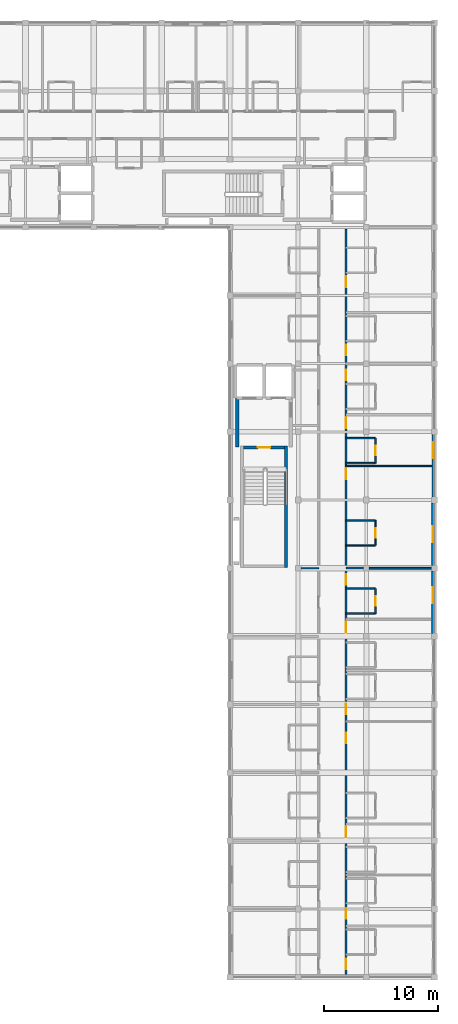
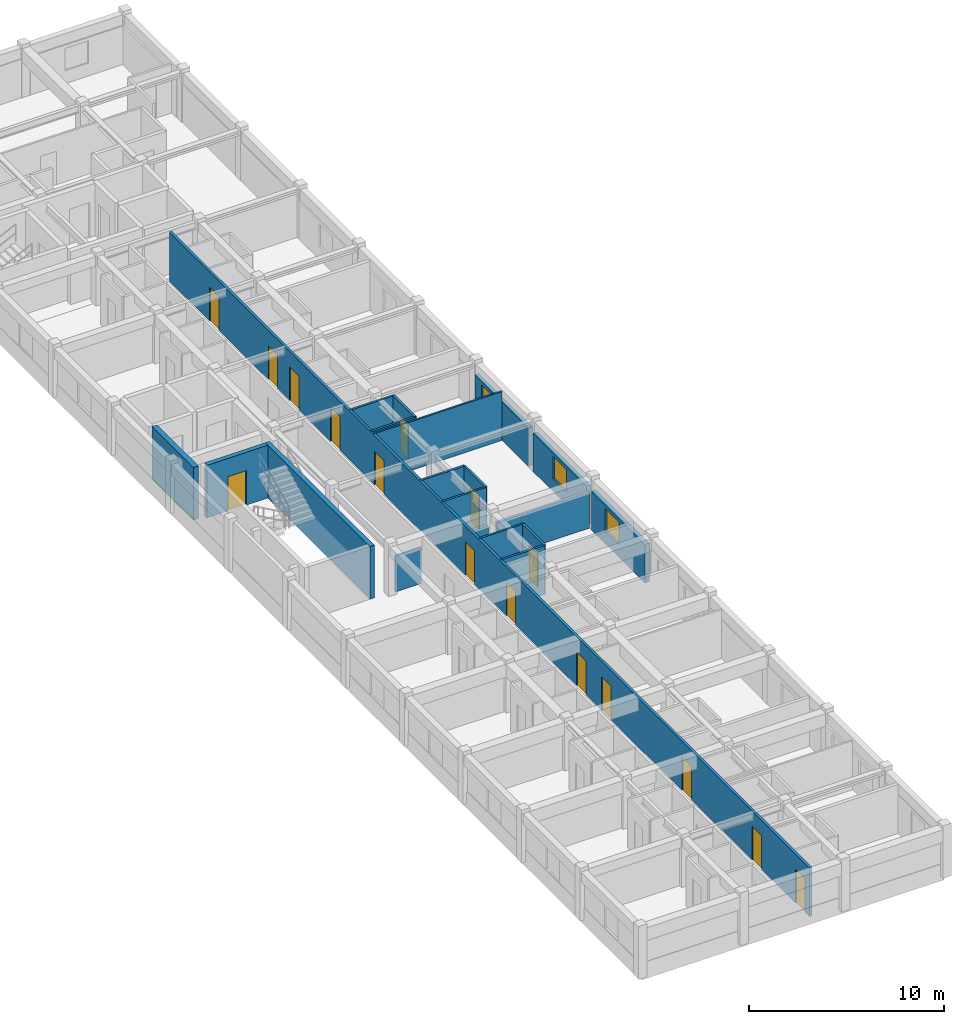
# One storey, part 5 of 15: 20 walls, 16 doors, 3 windows, 19 openings.
"""IFC4 building model written with IfcOpenShell, lengths in metres."""

from ifc_helpers import new_model, si_unit, direction, frame, frame_2d, origin, place, context, subcontext, project, spatial, rectangle, extrude, material, layer, layer_set, type_object, element, fill, save


model = new_model("IFC4")

# Units and contexts
model_context = context("Model", 3, precision=1e-05, world=origin(), true_north=direction((0.0, 1.0)))
body_context = subcontext(model_context, "Body", "Model", "MODEL_VIEW")
ifc_project = project(units=[si_unit("LENGTHUNIT", "METRE"), si_unit("AREAUNIT", "SQUARE_METRE"), si_unit("VOLUMEUNIT", "CUBIC_METRE"), si_unit("PLANEANGLEUNIT", "RADIAN"), si_unit("MASSUNIT", "GRAM", prefix="KILO"), si_unit("THERMODYNAMICTEMPERATUREUNIT", "KELVIN"), si_unit("POWERUNIT", "WATT")], contexts=[model_context])

# Site, building, storey
site_placement = place(None, origin())
site = spatial("IfcSite", under=ifc_project, at=site_placement, CompositionType="ELEMENT")
building_placement = place(site_placement, origin())
building = spatial("IfcBuilding", under=site, at=building_placement, Name="Phaisarnlok Congress Hotel", CompositionType="ELEMENT")
storey_placement = place(building_placement, frame((0.0, 0.0, 38.10009765625)))
storey = spatial("IfcBuildingStorey", under=building, at=storey_placement, Name="L09", CompositionType="ELEMENT", Elevation=38.10009765625)

# Wall, opening, window
ifc_material_1 = material(Name="Concrete C40/50", Category="concrete")
ifc_layer_1 = layer(ifc_material_1, 0.22998046875, Name="Concrete C40/50")
ifc_layer_set_1 = layer_set([ifc_layer_1], Name="Concrete C40/50")
wall_type_1 = type_object("IfcWallType", Name="WL-EXT-230", PredefinedType="SOLIDWALL", material=ifc_layer_set_1)
wall_1_placement = place(storey_placement, frame((179.885009765625, 84.2548828125, 0.0), z_axis=(0.0, 0.0, 1.0), x_axis=(0.0, 1.0, 0.0)))
wall_1 = element("IfcWall", 1, at=wall_1_placement, inside=storey, type_object=wall_type_1, Name="Exterior wall EW-06 (L09)", PredefinedType="SOLIDWALL", context=body_context, shape_type="SweptSolid", body=[
    extrude(rectangle(XDim=5.490234375, YDim=0.22998046875, at=frame_2d((2.7451171875, 0.0))), origin(), (0.0, 0.0, 1.0), 2.409912109375),
])
opening_1_placement = place(wall_1_placement, frame((3.407958984375, 0.0, 0.800048828125)))
opening_1 = element("IfcOpeningElement", 2, at=opening_1_placement, cuts=wall_1, Name="Opening W-13", PredefinedType="OPENING", context=body_context, shape_type="SweptSolid", body=[
    extrude(rectangle(XDim=1.39990234375, YDim=1.39990234375, at=frame_2d((0.699951171875, 0.699951171875))), frame((0.0, 0.125, 0.0), z_axis=(0.0, -1.0, 0.0), x_axis=(1.0, 0.0, 0.0)), (0.0, 0.0, 1.0), 0.25),
])
ifc_material_2 = material(Name="Thermally Broken Aluminium & Low-E Double Glazing", Category="aluminium")
window_type = type_object("IfcWindowType", Name="WIN-POD-1400", PartitioningType="SINGLE_PANEL", PredefinedType="WINDOW", material=ifc_material_2)
window_1_placement = place(opening_1_placement, origin())
window_1 = element("IfcWindow", 3, at=window_1_placement, inside=storey, type_object=window_type, Name="Guestroom window W-13 (L09)", OverallHeight=1.39990234375, OverallWidth=1.39990234375, PartitioningType="SINGLE_PANEL", PredefinedType="WINDOW", context=body_context, shape_type="SweptSolid", body=[
    extrude(rectangle(XDim=1.39990234375, YDim=1.39990234375, at=frame_2d((0.699951171875, 0.699951171875))), frame((0.0, 0.030029296875, 0.0), z_axis=(0.0, -1.0, 0.0), x_axis=(1.0, 0.0, 0.0)), (0.0, 0.0, 1.0), 0.06005859375),
])
fill(opening_1, window_1)

ifc_layer_2 = layer(ifc_material_1, 0.25, Name="Concrete C40/50")
ifc_layer_set_2 = layer_set([ifc_layer_2], Name="Concrete C40/50")
wall_type_2 = type_object("IfcWallType", Name="WL-EXT-250", PredefinedType="SOLIDWALL", material=ifc_layer_set_2)
wall_2_placement = place(storey_placement, frame((179.875, 78.2548828125, 0.0), z_axis=(0.0, 0.0, 1.0), x_axis=(0.0, 1.0, 0.0)))
wall_2 = element("IfcWall", 4, at=wall_2_placement, inside=storey, type_object=wall_type_2, Name="Exterior wall EW-05 (L09)", PredefinedType="SOLIDWALL", context=body_context, shape_type="SweptSolid", body=[
    extrude(rectangle(XDim=5.490234375, YDim=0.25, at=frame_2d((2.7451171875, 0.0))), origin(), (0.0, 0.0, 1.0), 2.409912109375),
])
opening_2_placement = place(wall_2_placement, frame((2.044921875, 0.0, 0.800048828125)))
opening_2 = element("IfcOpeningElement", 5, at=opening_2_placement, cuts=wall_2, Name="Opening W-13", PredefinedType="OPENING", context=body_context, shape_type="SweptSolid", body=[
    extrude(rectangle(XDim=1.39990234375, YDim=1.39990234375, at=frame_2d((0.699951171875, 0.699951171875))), frame((0.0, 0.135009765625, 0.0), z_axis=(0.0, -1.0, 0.0), x_axis=(1.0, 0.0, 0.0)), (0.0, 0.0, 1.0), 0.27001953125),
])
window_2_placement = place(opening_2_placement, origin())
window_2 = element("IfcWindow", 6, at=window_2_placement, inside=storey, type_object=window_type, Name="Guestroom window W-13 (L09)", OverallHeight=1.39990234375, OverallWidth=1.39990234375, PartitioningType="SINGLE_PANEL", PredefinedType="WINDOW", context=body_context, shape_type="SweptSolid", body=[
    extrude(rectangle(XDim=1.39990234375, YDim=1.39990234375, at=frame_2d((0.699951171875, 0.699951171875))), frame((0.0, 0.030029296875, 0.0), z_axis=(0.0, -1.0, 0.0), x_axis=(1.0, 0.0, 0.0)), (0.0, 0.0, 1.0), 0.06005859375),
])
fill(opening_2, window_2)

ifc_layer_3 = layer(ifc_material_1, 0.27001953125, Name="Concrete C40/50")
ifc_layer_set_3 = layer_set([ifc_layer_3], Name="Concrete C40/50")
wall_type_3 = type_object("IfcWallType", Name="WL-EXT-270", PredefinedType="SOLIDWALL", material=ifc_layer_set_3)
wall_3_placement = place(storey_placement, frame((179.864990234375, 72.2548828125, 0.0), z_axis=(0.0, 0.0, 1.0), x_axis=(0.0, 1.0, 0.0)))
wall_3 = element("IfcWall", 7, at=wall_3_placement, inside=storey, type_object=wall_type_3, Name="Exterior wall EW-04 (L09)", PredefinedType="SOLIDWALL", context=body_context, shape_type="SweptSolid", body=[
    extrude(rectangle(XDim=5.490234375, YDim=0.27001953125, at=frame_2d((2.7451171875, 0.0))), origin(), (0.0, 0.0, 1.0), 2.409912109375),
])
opening_3_placement = place(wall_3_placement, frame((2.657958984375, 0.0, 0.800048828125)))
opening_3 = element("IfcOpeningElement", 8, at=opening_3_placement, cuts=wall_3, Name="Opening W-13", PredefinedType="OPENING", context=body_context, shape_type="SweptSolid", body=[
    extrude(rectangle(XDim=1.39990234375, YDim=1.39990234375, at=frame_2d((0.699951171875, 0.699951171875))), frame((0.0, 0.14501953125, 0.0), z_axis=(0.0, -1.0, 0.0), x_axis=(1.0, 0.0, 0.0)), (0.0, 0.0, 1.0), 0.2900390625),
])
window_3_placement = place(opening_3_placement, origin())
window_3 = element("IfcWindow", 9, at=window_3_placement, inside=storey, type_object=window_type, Name="Guestroom window W-13 (L09)", OverallHeight=1.39990234375, OverallWidth=1.39990234375, PartitioningType="SINGLE_PANEL", PredefinedType="WINDOW", context=body_context, shape_type="SweptSolid", body=[
    extrude(rectangle(XDim=1.39990234375, YDim=1.39990234375, at=frame_2d((0.699951171875, 0.699951171875))), frame((0.0, 0.030029296875, 0.0), z_axis=(0.0, -1.0, 0.0), x_axis=(1.0, 0.0, 0.0)), (0.0, 0.0, 1.0), 0.06005859375),
])
fill(opening_3, window_3)

# Walls
ifc_material_3 = material(Name="Service Riser Shaftwall Partition", Category="gypsum")
ifc_layer_4 = layer(ifc_material_3, 0.10498046875, Name="Service Riser Shaftwall Partition")
ifc_layer_set_4 = layer_set([ifc_layer_4], Name="Service Riser Shaftwall Partition")
wall_type_4 = type_object("IfcWallType", Name="WL-INT-105", PredefinedType="PARTITIONING", material=ifc_layer_set_4)
wall_4_placement = place(storey_placement, frame((168.2548828125, 78.0, 0.0), z_axis=(0.0, 0.0, 1.0), x_axis=(1.0, 0.0, 0.0)))
element("IfcWall", 10, at=wall_4_placement, inside=storey, type_object=wall_type_4, Name="Interior partition wall IW-08 (L09)", PredefinedType="PARTITIONING", context=body_context, shape_type="SweptSolid", body=[
    extrude(rectangle(XDim=1.545166015625, YDim=0.10498046875, at=frame_2d((0.7724609375, 0.0))), origin(), (0.0, 0.0, 1.0), 2.260009765625),
])
wall_5_placement = place(storey_placement, frame((172.199951171875, 87.0, 0.0), z_axis=(0.0, 0.0, 1.0), x_axis=(1.0, 0.0, 0.0)))
element("IfcWall", 11, at=wall_5_placement, inside=storey, type_object=wall_type_4, Name="Interior partition wall IW-08 (L09)", PredefinedType="PARTITIONING", context=body_context, shape_type="SweptSolid", body=[
    extrude(rectangle(XDim=7.56494140625, YDim=0.10498046875, at=frame_2d((3.782470703125, 0.0))), origin(), (0.0, 0.0, 1.0), 3.059814453125),
])

# Wall, opening, door
ifc_material_4 = material(Name="Lightweight Metal-Stud Gypsum Partition", Category="gypsum")
ifc_layer_5 = layer(ifc_material_4, 0.1201171875, Name="Lightweight Metal-Stud Gypsum Partition")
ifc_layer_set_5 = layer_set([ifc_layer_5], Name="Lightweight Metal-Stud Gypsum Partition")
wall_type_5 = type_object("IfcWallType", Name="WL-INT-120", PredefinedType="PARTITIONING", material=ifc_layer_set_5)
wall_6_placement = place(storey_placement, frame((174.800048828125, 80.0, 0.0), z_axis=(0.0, 0.0, 1.0), x_axis=(0.0, 1.0, 0.0)))
wall_6 = element("IfcWall", 12, at=wall_6_placement, inside=storey, type_object=wall_type_5, Name="Interior partition wall IW-07 (L09)", PredefinedType="PARTITIONING", context=body_context, shape_type="SweptSolid", body=[
    extrude(rectangle(XDim=2.199951171875, YDim=0.1201171875, at=frame_2d((1.10009765625, 0.0))), origin(), (0.0, 0.0, 1.0), 3.059814453125),
])
opening_4_placement = place(wall_6_placement, frame((0.675048828125, 0.0, 0.0)))
opening_4 = element("IfcOpeningElement", 13, at=opening_4_placement, cuts=wall_6, Name="Opening D-0530", PredefinedType="OPENING", context=body_context, shape_type="SweptSolid", body=[
    extrude(rectangle(XDim=0.85009765625, YDim=2.10009765625, at=frame_2d((0.425048828125, 1.050048828125))), frame((0.0, 0.070068359375, 0.0), z_axis=(0.0, -1.0, 0.0), x_axis=(1.0, 0.0, 0.0)), (0.0, 0.0, 1.0), 0.14013671875),
])
ifc_material_5 = material(Name="Moisture-Resistant Lacquered Timber", Category="wood")
door_type_1 = type_object("IfcDoorType", Name="DR-BATH-850", OperationType="NOTDEFINED", PredefinedType="DOOR", material=ifc_material_5)
door_1_placement = place(opening_4_placement, origin())
door_1 = element("IfcDoor", 14, at=door_1_placement, inside=storey, type_object=door_type_1, Name="Interior door D-0530 (L09)", OperationType="SINGLE_SWING_LEFT", OverallHeight=2.10009765625, OverallWidth=0.85009765625, PredefinedType="DOOR", context=body_context, shape_type="SweptSolid", body=[
    extrude(rectangle(XDim=0.85009765625, YDim=2.10009765625, at=frame_2d((0.425048828125, 1.050048828125))), frame((0.0, 0.02490234375, 0.0), z_axis=(0.0, -1.0, 0.0), x_axis=(1.0, 0.0, 0.0)), (0.0, 0.0, 1.0), 0.050048828125),
])
fill(opening_4, door_1)

# Walls
for number, where, z_axis, x_axis, name in (
    (15, (172.199951171875, 76.199951171875, 0.0), (0.0, 0.0, 1.0), (1.0, 0.0, 0.0), "Interior partition wall IW-07 (L09)"),
    (16, (172.199951171875, 80.0, 0.0), (0.0, 0.0, 1.0), (1.0, 0.0, 0.0), "Interior partition wall IW-07 (L09)"),
    (17, (172.199951171875, 89.449951171875, 0.0), (0.0, 0.0, 1.0), (1.0, 0.0, 0.0), "Interior partition wall IW-07 (L09)"),
):
    element("IfcWall", number, at=place(storey_placement, frame(where, z_axis=z_axis, x_axis=x_axis)), inside=storey, type_object=wall_type_5, Name=name, PredefinedType="PARTITIONING", context=body_context, shape_type="SweptSolid", body=[
        extrude(rectangle(XDim=2.60009765625, YDim=0.1201171875, at=frame_2d((1.300048828125, 0.0))), origin(), (0.0, 0.0, 1.0), 3.059814453125),
    ])

# Wall, opening, door
ifc_material_6 = material(Name="Moisture-Resistant Gypsum Partition", Category="gypsum")
ifc_layer_6 = layer(ifc_material_6, 0.135009765625, Name="Moisture-Resistant Gypsum Partition")
ifc_layer_set_6 = layer_set([ifc_layer_6], Name="Moisture-Resistant Gypsum Partition")
wall_type_6 = type_object("IfcWallType", Name="WL-INT-135", PredefinedType="PARTITIONING", material=ifc_layer_set_6)
wall_7_placement = place(storey_placement, frame((174.800048828125, 74.0, 0.0), z_axis=(0.0, 0.0, 1.0), x_axis=(0.0, 1.0, 0.0)))
wall_7 = element("IfcWall", 18, at=wall_7_placement, inside=storey, type_object=wall_type_6, Name="Interior partition wall IW-06 (L09)", PredefinedType="PARTITIONING", context=body_context, shape_type="SweptSolid", body=[
    extrude(rectangle(XDim=2.199951171875, YDim=0.135009765625, at=frame_2d((1.10009765625, 0.0))), origin(), (0.0, 0.0, 1.0), 3.059814453125),
])
opening_5_placement = place(wall_7_placement, frame((0.675048828125, 0.0, 0.0)))
opening_5 = element("IfcOpeningElement", 19, at=opening_5_placement, cuts=wall_7, Name="Opening D-0528", PredefinedType="OPENING", context=body_context, shape_type="SweptSolid", body=[
    extrude(rectangle(XDim=0.85009765625, YDim=2.10009765625, at=frame_2d((0.425048828125, 1.050048828125))), frame((0.0, 0.07763671875, 0.0), z_axis=(0.0, -1.0, 0.0), x_axis=(1.0, 0.0, 0.0)), (0.0, 0.0, 1.0), 0.155029296875),
])
door_2_placement = place(opening_5_placement, origin())
door_2 = element("IfcDoor", 20, at=door_2_placement, inside=storey, type_object=door_type_1, Name="Interior door D-0528 (L09)", OperationType="SINGLE_SWING_LEFT", OverallHeight=2.10009765625, OverallWidth=0.85009765625, PredefinedType="DOOR", context=body_context, shape_type="SweptSolid", body=[
    extrude(rectangle(XDim=0.85009765625, YDim=2.10009765625, at=frame_2d((0.425048828125, 1.050048828125))), frame((0.0, 0.02490234375, 0.0), z_axis=(0.0, -1.0, 0.0), x_axis=(1.0, 0.0, 0.0)), (0.0, 0.0, 1.0), 0.050048828125),
])
fill(opening_5, door_2)

wall_8_placement = place(storey_placement, frame((174.800048828125, 87.25, 0.0), z_axis=(0.0, 0.0, 1.0), x_axis=(0.0, 1.0, 0.0)))
wall_8 = element("IfcWall", 21, at=wall_8_placement, inside=storey, type_object=wall_type_6, Name="Interior partition wall IW-06 (L09)", PredefinedType="PARTITIONING", context=body_context, shape_type="SweptSolid", body=[
    extrude(rectangle(XDim=2.199951171875, YDim=0.135009765625, at=frame_2d((1.10009765625, 0.0))), origin(), (0.0, 0.0, 1.0), 3.059814453125),
])
opening_6_placement = place(wall_8_placement, frame((0.675048828125, 0.0, 0.0)))
opening_6 = element("IfcOpeningElement", 22, at=opening_6_placement, cuts=wall_8, Name="Opening D-0532", PredefinedType="OPENING", context=body_context, shape_type="SweptSolid", body=[
    extrude(rectangle(XDim=0.85009765625, YDim=2.10009765625, at=frame_2d((0.425048828125, 1.050048828125))), frame((0.0, 0.07763671875, 0.0), z_axis=(0.0, -1.0, 0.0), x_axis=(1.0, 0.0, 0.0)), (0.0, 0.0, 1.0), 0.155029296875),
])
door_3_placement = place(opening_6_placement, origin())
door_3 = element("IfcDoor", 23, at=door_3_placement, inside=storey, type_object=door_type_1, Name="Interior door D-0532 (L09)", OperationType="SINGLE_SWING_LEFT", OverallHeight=2.10009765625, OverallWidth=0.85009765625, PredefinedType="DOOR", context=body_context, shape_type="SweptSolid", body=[
    extrude(rectangle(XDim=0.85009765625, YDim=2.10009765625, at=frame_2d((0.425048828125, 1.050048828125))), frame((0.0, 0.02490234375, 0.0), z_axis=(0.0, -1.0, 0.0), x_axis=(1.0, 0.0, 0.0)), (0.0, 0.0, 1.0), 0.050048828125),
])
fill(opening_6, door_3)

# Walls
for number, where, z_axis, x_axis, name in (
    (24, (172.199951171875, 74.0, 0.0), (0.0, 0.0, 1.0), (1.0, 0.0, 0.0), "Interior partition wall IW-06 (L09)"),
    (25, (172.199951171875, 82.199951171875, 0.0), (0.0, 0.0, 1.0), (1.0, 0.0, 0.0), "Interior partition wall IW-06 (L09)"),
    (26, (172.199951171875, 87.25, 0.0), (0.0, 0.0, 1.0), (1.0, 0.0, 0.0), "Interior partition wall IW-06 (L09)"),
):
    element("IfcWall", number, at=place(storey_placement, frame(where, z_axis=z_axis, x_axis=x_axis)), inside=storey, type_object=wall_type_6, Name=name, PredefinedType="PARTITIONING", context=body_context, shape_type="SweptSolid", body=[
        extrude(rectangle(XDim=2.60009765625, YDim=0.135009765625, at=frame_2d((1.300048828125, 0.0))), origin(), (0.0, 0.0, 1.0), 3.059814453125),
    ])

# Wall, openings, doors
ifc_material_7 = material(Name="Acoustic Gypsum Board & Mineral Wool", Category="gypsum")
ifc_layer_7 = layer(ifc_material_7, 0.14990234375, Name="Acoustic Gypsum Board & Mineral Wool")
ifc_layer_set_7 = layer_set([ifc_layer_7], Name="Acoustic Gypsum Board & Mineral Wool")
wall_type_7 = type_object("IfcWallType", Name="WL-INT-150", PredefinedType="PARTITIONING", material=ifc_layer_set_7)
wall_9_placement = place(storey_placement, frame((172.199951171875, 42.215087890625, 0.0), z_axis=(0.0, 0.0, 1.0), x_axis=(0.0, 1.0, 0.0)))
wall_9 = element("IfcWall", 27, at=wall_9_placement, inside=storey, type_object=wall_type_7, Name="Interior partition wall IW-05 (L09)", PredefinedType="PARTITIONING", context=body_context, shape_type="SweptSolid", body=[
    extrude(rectangle(XDim=65.60498046875, YDim=0.14990234375, at=frame_2d((32.802490234375, 0.0))), origin(), (0.0, 0.0, 1.0), 3.059814453125),
])
opening_7_placement = place(wall_9_placement, frame((0.4599609375, 0.0, 0.0)))
opening_7 = element("IfcOpeningElement", 28, at=opening_7_placement, cuts=wall_9, Name="Opening D-0517", PredefinedType="OPENING", context=body_context, shape_type="SweptSolid", body=[
    extrude(rectangle(XDim=0.949951171875, YDim=2.10009765625, at=frame_2d((0.47509765625, 1.050048828125))), frame((0.0, 0.0849609375, 0.0), z_axis=(0.0, -1.0, 0.0), x_axis=(1.0, 0.0, 0.0)), (0.0, 0.0, 1.0), 0.169921875),
])
opening_8_placement = place(wall_9_placement, frame((4.909912109375, 0.0, 0.0)))
opening_8 = element("IfcOpeningElement", 29, at=opening_8_placement, cuts=wall_9, Name="Opening D-0519", PredefinedType="OPENING", context=body_context, shape_type="SweptSolid", body=[
    extrude(rectangle(XDim=0.949951171875, YDim=2.10009765625, at=frame_2d((0.47509765625, 1.050048828125))), frame((0.0, 0.0849609375, 0.0), z_axis=(0.0, -1.0, 0.0), x_axis=(1.0, 0.0, 0.0)), (0.0, 0.0, 1.0), 0.169921875),
])
opening_9_placement = place(wall_9_placement, frame((12.110107421875, 0.0, 0.0)))
opening_9 = element("IfcOpeningElement", 30, at=opening_9_placement, cuts=wall_9, Name="Opening D-0521", PredefinedType="OPENING", context=body_context, shape_type="SweptSolid", body=[
    extrude(rectangle(XDim=0.949951171875, YDim=2.10009765625, at=frame_2d((0.47509765625, 1.050048828125))), frame((0.0, 0.0849609375, 0.0), z_axis=(0.0, -1.0, 0.0), x_axis=(1.0, 0.0, 0.0)), (0.0, 0.0, 1.0), 0.169921875),
])
opening_10_placement = place(wall_9_placement, frame((20.360107421875, 0.0, 0.0)))
opening_10 = element("IfcOpeningElement", 31, at=opening_10_placement, cuts=wall_9, Name="Opening D-0523", PredefinedType="OPENING", context=body_context, shape_type="SweptSolid", body=[
    extrude(rectangle(XDim=0.949951171875, YDim=2.10009765625, at=frame_2d((0.47509765625, 1.050048828125))), frame((0.0, 0.0849609375, 0.0), z_axis=(0.0, -1.0, 0.0), x_axis=(1.0, 0.0, 0.0)), (0.0, 0.0, 1.0), 0.169921875),
])
opening_11_placement = place(wall_9_placement, frame((22.909912109375, 0.0, 0.0)))
opening_11 = element("IfcOpeningElement", 32, at=opening_11_placement, cuts=wall_9, Name="Opening D-0525", PredefinedType="OPENING", context=body_context, shape_type="SweptSolid", body=[
    extrude(rectangle(XDim=0.949951171875, YDim=2.10009765625, at=frame_2d((0.47509765625, 1.050048828125))), frame((0.0, 0.0849609375, 0.0), z_axis=(0.0, -1.0, 0.0), x_axis=(1.0, 0.0, 0.0)), (0.0, 0.0, 1.0), 0.169921875),
])
opening_12_placement = place(wall_9_placement, frame((30.110107421875, 0.0, 0.0)))
opening_12 = element("IfcOpeningElement", 33, at=opening_12_placement, cuts=wall_9, Name="Opening D-0527", PredefinedType="OPENING", context=body_context, shape_type="SweptSolid", body=[
    extrude(rectangle(XDim=0.949951171875, YDim=2.10009765625, at=frame_2d((0.47509765625, 1.050048828125))), frame((0.0, 0.0849609375, 0.0), z_axis=(0.0, -1.0, 0.0), x_axis=(1.0, 0.0, 0.0)), (0.0, 0.0, 1.0), 0.169921875),
])
opening_13_placement = place(wall_9_placement, frame((34.31005859375, 0.0, 0.0)))
opening_13 = element("IfcOpeningElement", 34, at=opening_13_placement, cuts=wall_9, Name="Opening D-0529", PredefinedType="OPENING", context=body_context, shape_type="SweptSolid", body=[
    extrude(rectangle(XDim=0.949951171875, YDim=2.10009765625, at=frame_2d((0.47509765625, 1.050048828125))), frame((0.0, 0.0849609375, 0.0), z_axis=(0.0, -1.0, 0.0), x_axis=(1.0, 0.0, 0.0)), (0.0, 0.0, 1.0), 0.169921875),
])
opening_14_placement = place(wall_9_placement, frame((43.610107421875, 0.0, 0.0)))
opening_14 = element("IfcOpeningElement", 35, at=opening_14_placement, cuts=wall_9, Name="Opening D-0531", PredefinedType="OPENING", context=body_context, shape_type="SweptSolid", body=[
    extrude(rectangle(XDim=0.949951171875, YDim=2.10009765625, at=frame_2d((0.47509765625, 1.050048828125))), frame((0.0, 0.0849609375, 0.0), z_axis=(0.0, -1.0, 0.0), x_axis=(1.0, 0.0, 0.0)), (0.0, 0.0, 1.0), 0.169921875),
])
opening_15_placement = place(wall_9_placement, frame((48.110107421875, 0.0, 0.0)))
opening_15 = element("IfcOpeningElement", 36, at=opening_15_placement, cuts=wall_9, Name="Opening D-0533", PredefinedType="OPENING", context=body_context, shape_type="SweptSolid", body=[
    extrude(rectangle(XDim=0.949951171875, YDim=2.10009765625, at=frame_2d((0.47509765625, 1.050048828125))), frame((0.0, 0.0849609375, 0.0), z_axis=(0.0, -1.0, 0.0), x_axis=(1.0, 0.0, 0.0)), (0.0, 0.0, 1.0), 0.169921875),
])
opening_16_placement = place(wall_9_placement, frame((52.31005859375, 0.0, 0.0)))
opening_16 = element("IfcOpeningElement", 37, at=opening_16_placement, cuts=wall_9, Name="Opening D-0535", PredefinedType="OPENING", context=body_context, shape_type="SweptSolid", body=[
    extrude(rectangle(XDim=0.949951171875, YDim=2.10009765625, at=frame_2d((0.47509765625, 1.050048828125))), frame((0.0, 0.0849609375, 0.0), z_axis=(0.0, -1.0, 0.0), x_axis=(1.0, 0.0, 0.0)), (0.0, 0.0, 1.0), 0.169921875),
])
opening_17_placement = place(wall_9_placement, frame((54.510009765625, 0.0, 0.0)))
opening_17 = element("IfcOpeningElement", 38, at=opening_17_placement, cuts=wall_9, Name="Opening D-0537", PredefinedType="OPENING", context=body_context, shape_type="SweptSolid", body=[
    extrude(rectangle(XDim=0.949951171875, YDim=2.10009765625, at=frame_2d((0.47509765625, 1.050048828125))), frame((0.0, 0.0849609375, 0.0), z_axis=(0.0, -1.0, 0.0), x_axis=(1.0, 0.0, 0.0)), (0.0, 0.0, 1.0), 0.169921875),
])
opening_18_placement = place(wall_9_placement, frame((60.510009765625, 0.0, 0.0)))
opening_18 = element("IfcOpeningElement", 39, at=opening_18_placement, cuts=wall_9, Name="Opening D-0539", PredefinedType="OPENING", context=body_context, shape_type="SweptSolid", body=[
    extrude(rectangle(XDim=0.949951171875, YDim=2.10009765625, at=frame_2d((0.47509765625, 1.050048828125))), frame((0.0, 0.0849609375, 0.0), z_axis=(0.0, -1.0, 0.0), x_axis=(1.0, 0.0, 0.0)), (0.0, 0.0, 1.0), 0.169921875),
])
ifc_material_8 = material(Name="Acoustic Solid-Core Teak Veneer", Category="wood")
door_type_2 = type_object("IfcDoorType", Name="DR-FD30-950", OperationType="NOTDEFINED", PredefinedType="DOOR", material=ifc_material_8)
door_4_placement = place(opening_7_placement, origin())
door_4 = element("IfcDoor", 40, at=door_4_placement, inside=storey, type_object=door_type_2, Name="Interior door D-0517 (L09)", OperationType="SINGLE_SWING_RIGHT", OverallHeight=2.10009765625, OverallWidth=0.949951171875, PredefinedType="DOOR", context=body_context, shape_type="SweptSolid", body=[
    extrude(rectangle(XDim=0.949951171875, YDim=2.10009765625, at=frame_2d((0.47509765625, 1.050048828125))), frame((0.0, 0.02490234375, 0.0), z_axis=(0.0, -1.0, 0.0), x_axis=(1.0, 0.0, 0.0)), (0.0, 0.0, 1.0), 0.050048828125),
])
fill(opening_7, door_4)
door_5_placement = place(opening_8_placement, origin())
door_5 = element("IfcDoor", 41, at=door_5_placement, inside=storey, type_object=door_type_2, Name="Interior door D-0519 (L09)", OperationType="SINGLE_SWING_RIGHT", OverallHeight=2.10009765625, OverallWidth=0.949951171875, PredefinedType="DOOR", context=body_context, shape_type="SweptSolid", body=[
    extrude(rectangle(XDim=0.949951171875, YDim=2.10009765625, at=frame_2d((0.47509765625, 1.050048828125))), frame((0.0, 0.02490234375, 0.0), z_axis=(0.0, -1.0, 0.0), x_axis=(1.0, 0.0, 0.0)), (0.0, 0.0, 1.0), 0.050048828125),
])
fill(opening_8, door_5)
door_6_placement = place(opening_9_placement, origin())
door_6 = element("IfcDoor", 42, at=door_6_placement, inside=storey, type_object=door_type_2, Name="Interior door D-0521 (L09)", OperationType="SINGLE_SWING_RIGHT", OverallHeight=2.10009765625, OverallWidth=0.949951171875, PredefinedType="DOOR", context=body_context, shape_type="SweptSolid", body=[
    extrude(rectangle(XDim=0.949951171875, YDim=2.10009765625, at=frame_2d((0.47509765625, 1.050048828125))), frame((0.0, 0.02490234375, 0.0), z_axis=(0.0, -1.0, 0.0), x_axis=(1.0, 0.0, 0.0)), (0.0, 0.0, 1.0), 0.050048828125),
])
fill(opening_9, door_6)
door_7_placement = place(opening_10_placement, origin())
door_7 = element("IfcDoor", 43, at=door_7_placement, inside=storey, type_object=door_type_2, Name="Interior door D-0523 (L09)", OperationType="SINGLE_SWING_RIGHT", OverallHeight=2.10009765625, OverallWidth=0.949951171875, PredefinedType="DOOR", context=body_context, shape_type="SweptSolid", body=[
    extrude(rectangle(XDim=0.949951171875, YDim=2.10009765625, at=frame_2d((0.47509765625, 1.050048828125))), frame((0.0, 0.02490234375, 0.0), z_axis=(0.0, -1.0, 0.0), x_axis=(1.0, 0.0, 0.0)), (0.0, 0.0, 1.0), 0.050048828125),
])
fill(opening_10, door_7)
door_8_placement = place(opening_11_placement, origin())
door_8 = element("IfcDoor", 44, at=door_8_placement, inside=storey, type_object=door_type_2, Name="Interior door D-0525 (L09)", OperationType="SINGLE_SWING_RIGHT", OverallHeight=2.10009765625, OverallWidth=0.949951171875, PredefinedType="DOOR", context=body_context, shape_type="SweptSolid", body=[
    extrude(rectangle(XDim=0.949951171875, YDim=2.10009765625, at=frame_2d((0.47509765625, 1.050048828125))), frame((0.0, 0.02490234375, 0.0), z_axis=(0.0, -1.0, 0.0), x_axis=(1.0, 0.0, 0.0)), (0.0, 0.0, 1.0), 0.050048828125),
])
fill(opening_11, door_8)
door_9_placement = place(opening_12_placement, origin())
door_9 = element("IfcDoor", 45, at=door_9_placement, inside=storey, type_object=door_type_2, Name="Interior door D-0527 (L09)", OperationType="SINGLE_SWING_RIGHT", OverallHeight=2.10009765625, OverallWidth=0.949951171875, PredefinedType="DOOR", context=body_context, shape_type="SweptSolid", body=[
    extrude(rectangle(XDim=0.949951171875, YDim=2.10009765625, at=frame_2d((0.47509765625, 1.050048828125))), frame((0.0, 0.02490234375, 0.0), z_axis=(0.0, -1.0, 0.0), x_axis=(1.0, 0.0, 0.0)), (0.0, 0.0, 1.0), 0.050048828125),
])
fill(opening_12, door_9)
door_10_placement = place(opening_13_placement, origin())
door_10 = element("IfcDoor", 46, at=door_10_placement, inside=storey, type_object=door_type_2, Name="Interior door D-0529 (L09)", OperationType="SINGLE_SWING_RIGHT", OverallHeight=2.10009765625, OverallWidth=0.949951171875, PredefinedType="DOOR", context=body_context, shape_type="SweptSolid", body=[
    extrude(rectangle(XDim=0.949951171875, YDim=2.10009765625, at=frame_2d((0.47509765625, 1.050048828125))), frame((0.0, 0.02490234375, 0.0), z_axis=(0.0, -1.0, 0.0), x_axis=(1.0, 0.0, 0.0)), (0.0, 0.0, 1.0), 0.050048828125),
])
fill(opening_13, door_10)
door_11_placement = place(opening_14_placement, origin())
door_11 = element("IfcDoor", 47, at=door_11_placement, inside=storey, type_object=door_type_2, Name="Interior door D-0531 (L09)", OperationType="SINGLE_SWING_RIGHT", OverallHeight=2.10009765625, OverallWidth=0.949951171875, PredefinedType="DOOR", context=body_context, shape_type="SweptSolid", body=[
    extrude(rectangle(XDim=0.949951171875, YDim=2.10009765625, at=frame_2d((0.47509765625, 1.050048828125))), frame((0.0, 0.02490234375, 0.0), z_axis=(0.0, -1.0, 0.0), x_axis=(1.0, 0.0, 0.0)), (0.0, 0.0, 1.0), 0.050048828125),
])
fill(opening_14, door_11)
door_12_placement = place(opening_15_placement, origin())
door_12 = element("IfcDoor", 48, at=door_12_placement, inside=storey, type_object=door_type_2, Name="Interior door D-0533 (L09)", OperationType="SINGLE_SWING_RIGHT", OverallHeight=2.10009765625, OverallWidth=0.949951171875, PredefinedType="DOOR", context=body_context, shape_type="SweptSolid", body=[
    extrude(rectangle(XDim=0.949951171875, YDim=2.10009765625, at=frame_2d((0.47509765625, 1.050048828125))), frame((0.0, 0.02490234375, 0.0), z_axis=(0.0, -1.0, 0.0), x_axis=(1.0, 0.0, 0.0)), (0.0, 0.0, 1.0), 0.050048828125),
])
fill(opening_15, door_12)
door_13_placement = place(opening_16_placement, origin())
door_13 = element("IfcDoor", 49, at=door_13_placement, inside=storey, type_object=door_type_2, Name="Interior door D-0535 (L09)", OperationType="SINGLE_SWING_RIGHT", OverallHeight=2.10009765625, OverallWidth=0.949951171875, PredefinedType="DOOR", context=body_context, shape_type="SweptSolid", body=[
    extrude(rectangle(XDim=0.949951171875, YDim=2.10009765625, at=frame_2d((0.47509765625, 1.050048828125))), frame((0.0, 0.02490234375, 0.0), z_axis=(0.0, -1.0, 0.0), x_axis=(1.0, 0.0, 0.0)), (0.0, 0.0, 1.0), 0.050048828125),
])
fill(opening_16, door_13)
door_14_placement = place(opening_17_placement, origin())
door_14 = element("IfcDoor", 50, at=door_14_placement, inside=storey, type_object=door_type_2, Name="Interior door D-0537 (L09)", OperationType="SINGLE_SWING_RIGHT", OverallHeight=2.10009765625, OverallWidth=0.949951171875, PredefinedType="DOOR", context=body_context, shape_type="SweptSolid", body=[
    extrude(rectangle(XDim=0.949951171875, YDim=2.10009765625, at=frame_2d((0.47509765625, 1.050048828125))), frame((0.0, 0.02490234375, 0.0), z_axis=(0.0, -1.0, 0.0), x_axis=(1.0, 0.0, 0.0)), (0.0, 0.0, 1.0), 0.050048828125),
])
fill(opening_17, door_14)
door_15_placement = place(opening_18_placement, origin())
door_15 = element("IfcDoor", 51, at=door_15_placement, inside=storey, type_object=door_type_2, Name="Interior door D-0539 (L09)", OperationType="SINGLE_SWING_RIGHT", OverallHeight=2.10009765625, OverallWidth=0.949951171875, PredefinedType="DOOR", context=body_context, shape_type="SweptSolid", body=[
    extrude(rectangle(XDim=0.949951171875, YDim=2.10009765625, at=frame_2d((0.47509765625, 1.050048828125))), frame((0.0, 0.02490234375, 0.0), z_axis=(0.0, -1.0, 0.0), x_axis=(1.0, 0.0, 0.0)), (0.0, 0.0, 1.0), 0.050048828125),
])
fill(opening_18, door_15)

# Walls
ifc_material_9 = material(Name="Double-Stud Acoustic Gypsum Partition", Category="gypsum")
ifc_layer_8 = layer(ifc_material_9, 0.159912109375, Name="Double-Stud Acoustic Gypsum Partition")
ifc_layer_set_8 = layer_set([ifc_layer_8], Name="Double-Stud Acoustic Gypsum Partition")
wall_type_8 = type_object("IfcWallType", Name="WL-INT-160", PredefinedType="PARTITIONING", material=ifc_layer_set_8)
wall_10_placement = place(storey_placement, frame((174.2548828125, 78.0, 0.0), z_axis=(0.0, 0.0, 1.0), x_axis=(1.0, 0.0, 0.0)))
element("IfcWall", 52, at=wall_10_placement, inside=storey, type_object=wall_type_8, Name="Interior partition wall IW-04 (L09)", PredefinedType="PARTITIONING", context=body_context, shape_type="SweptSolid", body=[
    extrude(rectangle(XDim=5.465087890625, YDim=0.159912109375, at=frame_2d((2.732421875, 0.0))), origin(), (0.0, 0.0, 1.0), 2.260009765625),
])
ifc_material_10 = material(Name="Autoclaved Aerated Concrete Block", Category="concrete")
ifc_layer_9 = layer(ifc_material_10, 0.179931640625, Name="Autoclaved Aerated Concrete Block")
ifc_layer_set_9 = layer_set([ifc_layer_9], Name="Autoclaved Aerated Concrete Block")
wall_type_9 = type_object("IfcWallType", Name="WL-INT-180", PredefinedType="PARTITIONING", material=ifc_layer_set_9)
wall_11_placement = place(storey_placement, frame((172.199951171875, 78.0, 0.0), z_axis=(0.0, 0.0, 1.0), x_axis=(1.0, 0.0, 0.0)))
element("IfcWall", 53, at=wall_11_placement, inside=storey, type_object=wall_type_9, Name="Interior partition wall IW-03 (L09)", PredefinedType="PARTITIONING", context=body_context, shape_type="SweptSolid", body=[
    extrude(rectangle(XDim=1.545166015625, YDim=0.179931640625, at=frame_2d((0.7724609375, 0.0))), origin(), (0.0, 0.0, 1.0), 2.260009765625),
])
ifc_material_11 = material(Name="Concrete C50/60", Category="concrete")
ifc_layer_10 = layer(ifc_material_11, 0.260009765625, Name="Concrete C50/60")
ifc_layer_set_10 = layer_set([ifc_layer_10], Name="Concrete C50/60")
wall_type_10 = type_object("IfcWallType", Name="WL-SHR-260", PredefinedType="SHEAR", material=ifc_layer_set_10)
wall_12_placement = place(storey_placement, frame((166.929931640625, 78.0400390625, 0.0), z_axis=(0.0, 0.0, 1.0), x_axis=(0.0, 1.0, 0.0)))
element("IfcWall", 54, at=wall_12_placement, inside=storey, type_object=wall_type_10, Name="Stair shaft shear wall SW-04 (CORE-3 L09)", PredefinedType="SHEAR", context=body_context, shape_type="SweptSolid", body=[
    extrude(rectangle(XDim=10.719970703125, YDim=0.260009765625, at=frame_2d((5.35986328125, 0.0))), origin(), (0.0, 0.0, 1.0), 3.2998046875),
])

# Wall, opening, door
wall_13_placement = place(storey_placement, frame((163.199951171875, 88.6298828125, 0.0), z_axis=(0.0, 0.0, 1.0), x_axis=(1.0, 0.0, 0.0)))
wall_13 = element("IfcWall", 55, at=wall_13_placement, inside=storey, type_object=wall_type_10, Name="Stair shaft shear wall SW-04 (CORE-3 L09)", PredefinedType="SHEAR", context=body_context, shape_type="SweptSolid", body=[
    extrude(rectangle(XDim=3.60009765625, YDim=0.260009765625, at=frame_2d((1.800048828125, 0.0))), origin(), (0.0, 0.0, 1.0), 3.2998046875),
])
opening_19_placement = place(wall_13_placement, frame((1.25, 0.0, 0.0)))
opening_19 = element("IfcOpeningElement", 56, at=opening_19_placement, cuts=wall_13, Name="Opening FD-071", PredefinedType="OPENING", context=body_context, shape_type="SweptSolid", body=[
    extrude(rectangle(XDim=1.10009765625, YDim=2.14990234375, at=frame_2d((0.550048828125, 1.074951171875))), frame((0.0, 0.14013671875, 0.0), z_axis=(0.0, -1.0, 0.0), x_axis=(1.0, 0.0, 0.0)), (0.0, 0.0, 1.0), 0.280029296875),
])
ifc_material_12 = material(Name="Fire-Rated Steel Frame & Timber Leaf", Category="steel")
door_type_3 = type_object("IfcDoorType", Name="DR-FD60-1100", OperationType="NOTDEFINED", PredefinedType="DOOR", material=ifc_material_12)
door_16_placement = place(opening_19_placement, origin())
door_16 = element("IfcDoor", 57, at=door_16_placement, inside=storey, type_object=door_type_3, Name="Stair enclosure fire door FD-071 (L09)", OperationType="SINGLE_SWING_RIGHT", OverallHeight=2.14990234375, OverallWidth=1.10009765625, PredefinedType="DOOR", context=body_context, shape_type="SweptSolid", body=[
    extrude(rectangle(XDim=1.10009765625, YDim=2.14990234375, at=frame_2d((0.550048828125, 1.074951171875))), frame((0.0, 0.02490234375, 0.0), z_axis=(0.0, -1.0, 0.0), x_axis=(1.0, 0.0, 0.0)), (0.0, 0.0, 1.0), 0.050048828125),
])
fill(opening_19, door_16)

# Wall
ifc_layer_11 = layer(ifc_material_11, 0.300048828125, Name="Concrete C50/60")
ifc_layer_set_11 = layer_set([ifc_layer_11], Name="Concrete C50/60")
wall_type_11 = type_object("IfcWallType", Name="WL-SHR-300", PredefinedType="SHEAR", material=ifc_layer_set_11)
wall_14_placement = place(storey_placement, frame((162.64990234375, 88.679931640625, 0.0), z_axis=(0.0, 0.0, 1.0), x_axis=(0.0, 1.0, 0.0)))
element("IfcWall", 58, at=wall_14_placement, inside=storey, type_object=wall_type_11, Name="Core lobby EI-120 wall SW-03 (CORE-3 L09)", PredefinedType="SHEAR", context=body_context, shape_type="SweptSolid", body=[
    extrude(rectangle(XDim=4.239990234375, YDim=0.300048828125, at=frame_2d((2.1201171875, 0.0))), origin(), (0.0, 0.0, 1.0), 3.2998046875),
])

save(model, "model.ifc")
